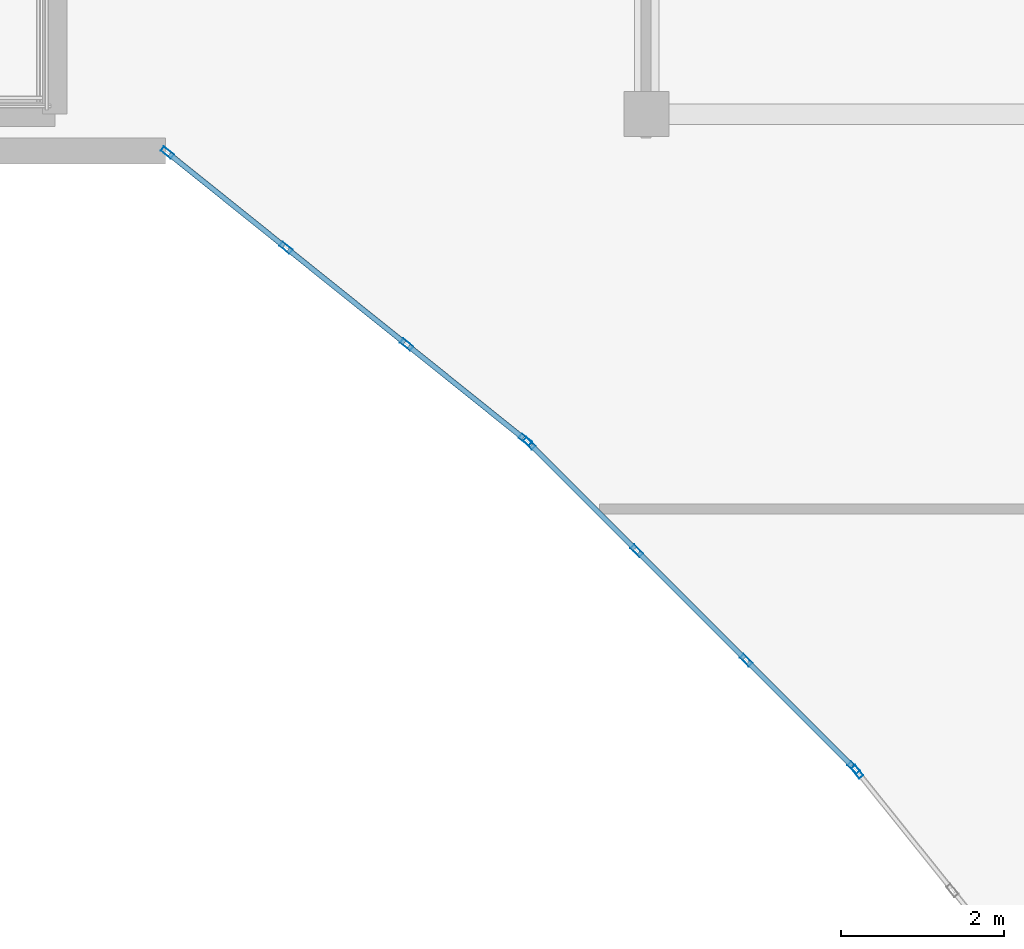
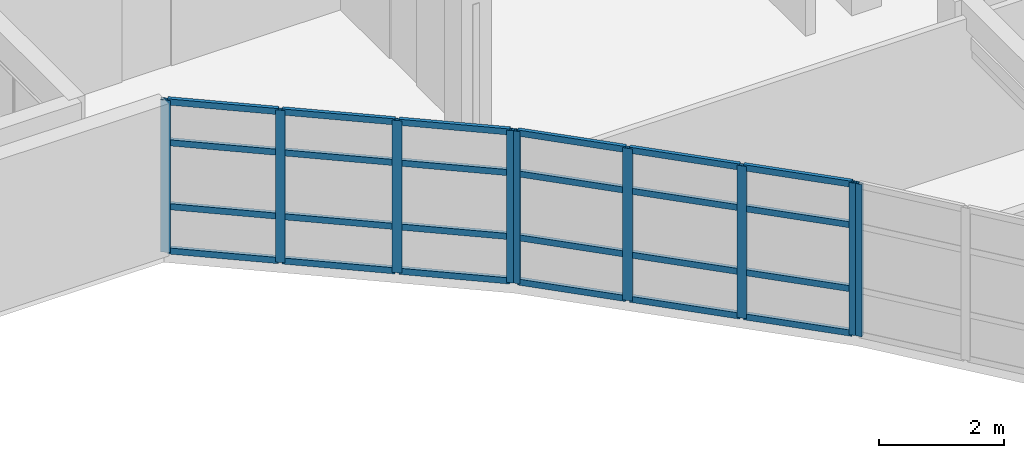
# One storey, part 18 of 68: 33 members, 3 elements without a shape of their own.
"""IFC4 building model written with IfcOpenShell, lengths in metres."""

from ifc_helpers import new_model, si_unit, direction, frame, origin, origin_2d, place, context, subcontext, project, spatial, hollow_rectangle, extrude, material, layer, layer_set, material_profile, profile_set, type_object, element, aggregate, save


model = new_model("IFC4")

# Units and contexts
model_context = context("Model", 3, precision=1e-05, world=origin(), true_north=direction((0.0, 1.0)))
body_context = subcontext(model_context, "Body", "Model", "MODEL_VIEW")
ifc_project = project(units=[si_unit("LENGTHUNIT", "METRE"), si_unit("AREAUNIT", "SQUARE_METRE"), si_unit("VOLUMEUNIT", "CUBIC_METRE"), si_unit("PLANEANGLEUNIT", "RADIAN"), si_unit("MASSUNIT", "GRAM", prefix="KILO")], contexts=[model_context])

# Site, building, storey
site_placement = place(None, origin())
site = spatial("IfcSite", under=ifc_project, at=site_placement, CompositionType="ELEMENT")
building_placement = place(site_placement, origin())
building = spatial("IfcBuilding", under=site, at=building_placement, Name="Keldmere Railside Commons", CompositionType="ELEMENT")
storey_placement = place(building_placement, frame((0.0, 0.0, 23.360107421875)))
storey = spatial("IfcBuildingStorey", under=building, at=storey_placement, Name="L07", CompositionType="ELEMENT", Elevation=23.360107421875)

# Curtain wall, members
ifc_material = material(Name="Thermally Broken Aluminium", Category="aluminium")
ifc_layer_1 = layer(ifc_material, 0.159912109375, Name="Court Chord Wintergarden CW 5400x2850")
ifc_layer_set_1 = layer_set([ifc_layer_1], Name="Thermally Broken Aluminium")
curtain_wall_type_1 = type_object("IfcCurtainWallType", Name="Court Chord Wintergarden CW 5400x2850", PredefinedType="NOTDEFINED", material=ifc_layer_set_1)
curtain_wall_1_placement = place(storey_placement, origin())
curtain_wall_1 = element("IfcCurtainWall", 1, at=curtain_wall_1_placement, inside=storey, type_object=curtain_wall_type_1, Name="CW-13 CW-L07-178", PredefinedType="NOTDEFINED")
ifc_material_profile_1 = material_profile(ifc_material, hollow_rectangle(XDim=0.06494140625, YDim=0.159912109375, WallThickness=0.00390625, at=origin_2d()), Name="ALU-MULL-65x160")
ifc_profile_set_1 = profile_set([ifc_material_profile_1], Name="Thermally Broken Aluminium")
member_type_1 = type_object("IfcMemberType", Name="Unitised Curtain Wall Mullion 65x160", PredefinedType="MULLION", material=ifc_profile_set_1)
member_1_placement = place(storey_placement, frame((160.404541015625, 96.46630859375, 0.0), z_axis=(0.0, 0.0, 1.0), x_axis=(-0.625768080915, -0.780009172323, 0.0)))
member_1 = element("IfcMember", 2, at=member_1_placement, type_object=member_type_1, Name="CW-13 mullion 1", PredefinedType="MULLION", context=body_context, shape_type="SweptSolid", body=[
    extrude(hollow_rectangle(XDim=0.06494140625, YDim=0.159912109375, WallThickness=0.00390625, at=origin_2d()), origin(), (0.0, 0.0, 1.0), 2.97998046875),
])
member_2_placement = place(storey_placement, frame((158.953369140625, 97.630615234375, 0.0), z_axis=(0.0, 0.0, 1.0), x_axis=(-0.625768080915, -0.780009172323, 0.0)))
member_2 = element("IfcMember", 3, at=member_2_placement, type_object=member_type_1, Name="CW-13 mullion 2", PredefinedType="MULLION", context=body_context, shape_type="SweptSolid", body=[
    extrude(hollow_rectangle(XDim=0.06494140625, YDim=0.159912109375, WallThickness=0.00390625, at=origin_2d()), origin(), (0.0, 0.0, 1.0), 2.97998046875),
])
member_3_placement = place(storey_placement, frame((157.4765625, 98.8154296875, 0.0), z_axis=(0.0, 0.0, 1.0), x_axis=(-0.625768080915, -0.780009172323, 0.0)))
member_3 = element("IfcMember", 4, at=member_3_placement, type_object=member_type_1, Name="CW-13 mullion 3", PredefinedType="MULLION", context=body_context, shape_type="SweptSolid", body=[
    extrude(hollow_rectangle(XDim=0.06494140625, YDim=0.159912109375, WallThickness=0.00390625, at=origin_2d()), origin(), (0.0, 0.0, 1.0), 2.97998046875),
])
member_4_placement = place(storey_placement, frame((156.025390625, 99.979736328125, 0.0), z_axis=(0.0, 0.0, 1.0), x_axis=(-0.625768080915, -0.780009172323, 0.0)))
member_4 = element("IfcMember", 5, at=member_4_placement, type_object=member_type_1, Name="CW-13 mullion 4", PredefinedType="MULLION", context=body_context, shape_type="SweptSolid", body=[
    extrude(hollow_rectangle(XDim=0.06494140625, YDim=0.159912109375, WallThickness=0.00390625, at=origin_2d()), origin(), (0.0, 0.0, 1.0), 2.97998046875),
])

ifc_layer_2 = layer(ifc_material, 0.159912109375, Name="Court Chord Wintergarden CW 4800x2850")
ifc_layer_set_2 = layer_set([ifc_layer_2], Name="Thermally Broken Aluminium")
curtain_wall_type_2 = type_object("IfcCurtainWallType", Name="Court Chord Wintergarden CW 4800x2850", PredefinedType="NOTDEFINED", material=ifc_layer_set_2)
curtain_wall_2_placement = place(storey_placement, origin())
curtain_wall_2 = element("IfcCurtainWall", 6, at=curtain_wall_2_placement, inside=storey, type_object=curtain_wall_type_2, Name="CW-12 CW-L07-179", PredefinedType="NOTDEFINED")
member_5_placement = place(storey_placement, frame((164.423095703125, 92.452880859375, 0.0), z_axis=(0.0, 0.0, 1.0), x_axis=(-0.707106781187, -0.707106781187, 0.0)))
member_5 = element("IfcMember", 7, at=member_5_placement, type_object=member_type_1, Name="CW-12 mullion 1", PredefinedType="MULLION", context=body_context, shape_type="SweptSolid", body=[
    extrude(hollow_rectangle(XDim=0.06494140625, YDim=0.159912109375, WallThickness=0.00390625, at=origin_2d()), origin(), (0.0, 0.0, 1.0), 2.97998046875),
])
member_6_placement = place(storey_placement, frame((163.107421875, 93.7685546875, 0.0), z_axis=(0.0, 0.0, 1.0), x_axis=(-0.707106781187, -0.707106781187, 0.0)))
member_6 = element("IfcMember", 8, at=member_6_placement, type_object=member_type_1, Name="CW-12 mullion 2", PredefinedType="MULLION", context=body_context, shape_type="SweptSolid", body=[
    extrude(hollow_rectangle(XDim=0.06494140625, YDim=0.159912109375, WallThickness=0.00390625, at=origin_2d()), origin(), (0.0, 0.0, 1.0), 2.97998046875),
])
member_7_placement = place(storey_placement, frame((161.7685546875, 95.107421875, 0.0), z_axis=(0.0, 0.0, 1.0), x_axis=(-0.707106781187, -0.707106781187, 0.0)))
member_7 = element("IfcMember", 9, at=member_7_placement, type_object=member_type_1, Name="CW-12 mullion 3", PredefinedType="MULLION", context=body_context, shape_type="SweptSolid", body=[
    extrude(hollow_rectangle(XDim=0.06494140625, YDim=0.159912109375, WallThickness=0.00390625, at=origin_2d()), origin(), (0.0, 0.0, 1.0), 2.97998046875),
])
member_8_placement = place(storey_placement, frame((160.452880859375, 96.423095703125, 0.0), z_axis=(0.0, 0.0, 1.0), x_axis=(-0.707106781187, -0.707106781187, 0.0)))
member_8 = element("IfcMember", 10, at=member_8_placement, type_object=member_type_1, Name="CW-12 mullion 4", PredefinedType="MULLION", context=body_context, shape_type="SweptSolid", body=[
    extrude(hollow_rectangle(XDim=0.06494140625, YDim=0.159912109375, WallThickness=0.00390625, at=origin_2d()), origin(), (0.0, 0.0, 1.0), 2.97998046875),
])

# Curtain wall, member
curtain_wall_3_placement = place(storey_placement, origin())
curtain_wall_3 = element("IfcCurtainWall", 11, at=curtain_wall_3_placement, inside=storey, type_object=curtain_wall_type_1, Name="CW-13 CW-L07-180", PredefinedType="NOTDEFINED")
member_9_placement = place(storey_placement, frame((164.46630859375, 92.404541015625, 0.0), z_axis=(0.0, 0.0, 1.0), x_axis=(-0.780009172323, -0.625768080915, 0.0)))
member_9 = element("IfcMember", 12, at=member_9_placement, type_object=member_type_1, Name="CW-13 mullion 4", PredefinedType="MULLION", context=body_context, shape_type="SweptSolid", body=[
    extrude(hollow_rectangle(XDim=0.06494140625, YDim=0.159912109375, WallThickness=0.00390625, at=origin_2d()), origin(), (0.0, 0.0, 1.0), 2.97998046875),
])
aggregate(curtain_wall_3, [member_9])

# Member
ifc_material_profile_2 = material_profile(ifc_material, hollow_rectangle(XDim=0.06494140625, YDim=0.1201171875, WallThickness=0.00390625, at=origin_2d()), Name="ALU-TRAN-65x120")
ifc_profile_set_2 = profile_set([ifc_material_profile_2], Name="Thermally Broken Aluminium")
member_type_2 = type_object("IfcMemberType", Name="Unitised Curtain Wall Transom 65x120", PredefinedType="USERDEFINED", material=ifc_profile_set_2)
member_10_placement = place(storey_placement, frame((160.37939453125, 96.486572265625, 0.032470703125), z_axis=(-0.779979331565, 0.625805275091, 0.0), x_axis=(-0.625805275091, -0.779979331565, 0.0)))
member_10 = element("IfcMember", 13, at=member_10_placement, type_object=member_type_2, Name="CW-13 transom 1.1", ObjectType="TRANSOM", PredefinedType="USERDEFINED", context=body_context, shape_type="SweptSolid", body=[
    extrude(hollow_rectangle(XDim=0.06494140625, YDim=0.1201171875, WallThickness=0.00390625, at=origin_2d()), origin(), (0.0, 0.0, 1.0), 1.795654296875),
])

member_11_placement = place(storey_placement, frame((160.37939453125, 96.486572265625, 0.89990234375), z_axis=(-0.779979331565, 0.625805275091, 0.0), x_axis=(-0.625805275091, -0.779979331565, 0.0)))
member_11 = element("IfcMember", 14, at=member_11_placement, type_object=member_type_2, Name="CW-13 transom 1.2", ObjectType="TRANSOM", PredefinedType="USERDEFINED", context=body_context, shape_type="SweptSolid", body=[
    extrude(hollow_rectangle(XDim=0.06494140625, YDim=0.1201171875, WallThickness=0.00390625, at=origin_2d()), origin(), (0.0, 0.0, 1.0), 1.795654296875),
])

member_12_placement = place(storey_placement, frame((160.37939453125, 96.486572265625, 2.14990234375), z_axis=(-0.779979331565, 0.625805275091, 0.0), x_axis=(-0.625805275091, -0.779979331565, 0.0)))
member_12 = element("IfcMember", 15, at=member_12_placement, type_object=member_type_2, Name="CW-13 transom 1.3", ObjectType="TRANSOM", PredefinedType="USERDEFINED", context=body_context, shape_type="SweptSolid", body=[
    extrude(hollow_rectangle(XDim=0.06494140625, YDim=0.1201171875, WallThickness=0.00390625, at=origin_2d()), origin(), (0.0, 0.0, 1.0), 1.795654296875),
])

member_13_placement = place(storey_placement, frame((160.37939453125, 96.486572265625, 2.947509765625), z_axis=(-0.779979331565, 0.625805275091, 0.0), x_axis=(-0.625805275091, -0.779979331565, 0.0)))
member_13 = element("IfcMember", 16, at=member_13_placement, type_object=member_type_2, Name="CW-13 transom 1.4", ObjectType="TRANSOM", PredefinedType="USERDEFINED", context=body_context, shape_type="SweptSolid", body=[
    extrude(hollow_rectangle(XDim=0.06494140625, YDim=0.1201171875, WallThickness=0.00390625, at=origin_2d()), origin(), (0.0, 0.0, 1.0), 1.795654296875),
])

member_14_placement = place(storey_placement, frame((158.927978515625, 97.651123046875, 0.032470703125), z_axis=(-0.78007338409, 0.625688033635, 0.0), x_axis=(-0.625688033635, -0.78007338409, 0.0)))
member_14 = element("IfcMember", 17, at=member_14_placement, type_object=member_type_2, Name="CW-13 transom 2.1", ObjectType="TRANSOM", PredefinedType="USERDEFINED", context=body_context, shape_type="SweptSolid", body=[
    extrude(hollow_rectangle(XDim=0.06494140625, YDim=0.1201171875, WallThickness=0.00390625, at=origin_2d()), origin(), (0.0, 0.0, 1.0), 1.828125),
])

member_15_placement = place(storey_placement, frame((158.927978515625, 97.651123046875, 0.89990234375), z_axis=(-0.78007338409, 0.625688033635, 0.0), x_axis=(-0.625688033635, -0.78007338409, 0.0)))
member_15 = element("IfcMember", 18, at=member_15_placement, type_object=member_type_2, Name="CW-13 transom 2.2", ObjectType="TRANSOM", PredefinedType="USERDEFINED", context=body_context, shape_type="SweptSolid", body=[
    extrude(hollow_rectangle(XDim=0.06494140625, YDim=0.1201171875, WallThickness=0.00390625, at=origin_2d()), origin(), (0.0, 0.0, 1.0), 1.828125),
])

member_16_placement = place(storey_placement, frame((158.927978515625, 97.651123046875, 2.14990234375), z_axis=(-0.78007338409, 0.625688033635, 0.0), x_axis=(-0.625688033635, -0.78007338409, 0.0)))
member_16 = element("IfcMember", 19, at=member_16_placement, type_object=member_type_2, Name="CW-13 transom 2.3", ObjectType="TRANSOM", PredefinedType="USERDEFINED", context=body_context, shape_type="SweptSolid", body=[
    extrude(hollow_rectangle(XDim=0.06494140625, YDim=0.1201171875, WallThickness=0.00390625, at=origin_2d()), origin(), (0.0, 0.0, 1.0), 1.828125),
])

member_17_placement = place(storey_placement, frame((158.927978515625, 97.651123046875, 2.947509765625), z_axis=(-0.78007338409, 0.625688033635, 0.0), x_axis=(-0.625688033635, -0.78007338409, 0.0)))
member_17 = element("IfcMember", 20, at=member_17_placement, type_object=member_type_2, Name="CW-13 transom 2.4", ObjectType="TRANSOM", PredefinedType="USERDEFINED", context=body_context, shape_type="SweptSolid", body=[
    extrude(hollow_rectangle(XDim=0.06494140625, YDim=0.1201171875, WallThickness=0.00390625, at=origin_2d()), origin(), (0.0, 0.0, 1.0), 1.828125),
])

member_18_placement = place(storey_placement, frame((157.451416015625, 98.835693359375, 0.032470703125), z_axis=(-0.780045694992, 0.625722553313, 0.0), x_axis=(-0.625722553313, -0.780045694992, 0.0)))
member_18 = element("IfcMember", 21, at=member_18_placement, type_object=member_type_2, Name="CW-13 transom 3.1", ObjectType="TRANSOM", PredefinedType="USERDEFINED", context=body_context, shape_type="SweptSolid", body=[
    extrude(hollow_rectangle(XDim=0.06494140625, YDim=0.1201171875, WallThickness=0.00390625, at=origin_2d()), origin(), (0.0, 0.0, 1.0), 1.795654296875),
])

member_19_placement = place(storey_placement, frame((157.451416015625, 98.835693359375, 0.89990234375), z_axis=(-0.780045694992, 0.625722553313, 0.0), x_axis=(-0.625722553313, -0.780045694992, 0.0)))
member_19 = element("IfcMember", 22, at=member_19_placement, type_object=member_type_2, Name="CW-13 transom 3.2", ObjectType="TRANSOM", PredefinedType="USERDEFINED", context=body_context, shape_type="SweptSolid", body=[
    extrude(hollow_rectangle(XDim=0.06494140625, YDim=0.1201171875, WallThickness=0.00390625, at=origin_2d()), origin(), (0.0, 0.0, 1.0), 1.795654296875),
])

member_20_placement = place(storey_placement, frame((157.451416015625, 98.835693359375, 2.14990234375), z_axis=(-0.780045694992, 0.625722553313, 0.0), x_axis=(-0.625722553313, -0.780045694992, 0.0)))
member_20 = element("IfcMember", 23, at=member_20_placement, type_object=member_type_2, Name="CW-13 transom 3.3", ObjectType="TRANSOM", PredefinedType="USERDEFINED", context=body_context, shape_type="SweptSolid", body=[
    extrude(hollow_rectangle(XDim=0.06494140625, YDim=0.1201171875, WallThickness=0.00390625, at=origin_2d()), origin(), (0.0, 0.0, 1.0), 1.795654296875),
])

member_21_placement = place(storey_placement, frame((157.451416015625, 98.835693359375, 2.947509765625), z_axis=(-0.780045694992, 0.625722553313, 0.0), x_axis=(-0.625722553313, -0.780045694992, 0.0)))
member_21 = element("IfcMember", 24, at=member_21_placement, type_object=member_type_2, Name="CW-13 transom 3.4", ObjectType="TRANSOM", PredefinedType="USERDEFINED", context=body_context, shape_type="SweptSolid", body=[
    extrude(hollow_rectangle(XDim=0.06494140625, YDim=0.1201171875, WallThickness=0.00390625, at=origin_2d()), origin(), (0.0, 0.0, 1.0), 1.795654296875),
])

aggregate(curtain_wall_1, [member_1, member_2, member_3, member_4, member_10, member_11, member_12, member_13, member_14, member_15, member_16, member_17, member_18, member_19, member_20, member_21])

member_22_placement = place(storey_placement, frame((164.400146484375, 92.47607421875, 0.032470703125), z_axis=(-0.707174762418, 0.707038793419, 0.0), x_axis=(-0.707038793419, -0.707174762418, 0.0)))
member_22 = element("IfcMember", 25, at=member_22_placement, type_object=member_type_2, Name="CW-12 transom 1.1", ObjectType="TRANSOM", PredefinedType="USERDEFINED", context=body_context, shape_type="SweptSolid", body=[
    extrude(hollow_rectangle(XDim=0.06494140625, YDim=0.1201171875, WallThickness=0.00390625, at=origin_2d()), origin(), (0.0, 0.0, 1.0), 1.795654296875),
])

member_23_placement = place(storey_placement, frame((164.400146484375, 92.47607421875, 0.89990234375), z_axis=(-0.707174762418, 0.707038793419, 0.0), x_axis=(-0.707038793419, -0.707174762418, 0.0)))
member_23 = element("IfcMember", 26, at=member_23_placement, type_object=member_type_2, Name="CW-12 transom 1.2", ObjectType="TRANSOM", PredefinedType="USERDEFINED", context=body_context, shape_type="SweptSolid", body=[
    extrude(hollow_rectangle(XDim=0.06494140625, YDim=0.1201171875, WallThickness=0.00390625, at=origin_2d()), origin(), (0.0, 0.0, 1.0), 1.795654296875),
])

member_24_placement = place(storey_placement, frame((164.400146484375, 92.47607421875, 2.14990234375), z_axis=(-0.707174762418, 0.707038793419, 0.0), x_axis=(-0.707038793419, -0.707174762418, 0.0)))
member_24 = element("IfcMember", 27, at=member_24_placement, type_object=member_type_2, Name="CW-12 transom 1.3", ObjectType="TRANSOM", PredefinedType="USERDEFINED", context=body_context, shape_type="SweptSolid", body=[
    extrude(hollow_rectangle(XDim=0.06494140625, YDim=0.1201171875, WallThickness=0.00390625, at=origin_2d()), origin(), (0.0, 0.0, 1.0), 1.795654296875),
])

member_25_placement = place(storey_placement, frame((164.400146484375, 92.47607421875, 2.947509765625), z_axis=(-0.707174762418, 0.707038793419, 0.0), x_axis=(-0.707038793419, -0.707174762418, 0.0)))
member_25 = element("IfcMember", 28, at=member_25_placement, type_object=member_type_2, Name="CW-12 transom 1.4", ObjectType="TRANSOM", PredefinedType="USERDEFINED", context=body_context, shape_type="SweptSolid", body=[
    extrude(hollow_rectangle(XDim=0.06494140625, YDim=0.1201171875, WallThickness=0.00390625, at=origin_2d()), origin(), (0.0, 0.0, 1.0), 1.795654296875),
])

member_26_placement = place(storey_placement, frame((163.08447265625, 93.791748046875, 0.032470703125), z_axis=(-0.707106781187, 0.707106781187, 0.0), x_axis=(-0.707106781187, -0.707106781187, 0.0)))
member_26 = element("IfcMember", 29, at=member_26_placement, type_object=member_type_2, Name="CW-12 transom 2.1", ObjectType="TRANSOM", PredefinedType="USERDEFINED", context=body_context, shape_type="SweptSolid", body=[
    extrude(hollow_rectangle(XDim=0.06494140625, YDim=0.1201171875, WallThickness=0.00390625, at=origin_2d()), origin(), (0.0, 0.0, 1.0), 1.828125),
])

member_27_placement = place(storey_placement, frame((163.08447265625, 93.791748046875, 0.89990234375), z_axis=(-0.707106781187, 0.707106781187, 0.0), x_axis=(-0.707106781187, -0.707106781187, 0.0)))
member_27 = element("IfcMember", 30, at=member_27_placement, type_object=member_type_2, Name="CW-12 transom 2.2", ObjectType="TRANSOM", PredefinedType="USERDEFINED", context=body_context, shape_type="SweptSolid", body=[
    extrude(hollow_rectangle(XDim=0.06494140625, YDim=0.1201171875, WallThickness=0.00390625, at=origin_2d()), origin(), (0.0, 0.0, 1.0), 1.828125),
])

member_28_placement = place(storey_placement, frame((163.08447265625, 93.791748046875, 2.14990234375), z_axis=(-0.707106781187, 0.707106781187, 0.0), x_axis=(-0.707106781187, -0.707106781187, 0.0)))
member_28 = element("IfcMember", 31, at=member_28_placement, type_object=member_type_2, Name="CW-12 transom 2.3", ObjectType="TRANSOM", PredefinedType="USERDEFINED", context=body_context, shape_type="SweptSolid", body=[
    extrude(hollow_rectangle(XDim=0.06494140625, YDim=0.1201171875, WallThickness=0.00390625, at=origin_2d()), origin(), (0.0, 0.0, 1.0), 1.828125),
])

member_29_placement = place(storey_placement, frame((163.08447265625, 93.791748046875, 2.947509765625), z_axis=(-0.707106781187, 0.707106781187, 0.0), x_axis=(-0.707106781187, -0.707106781187, 0.0)))
member_29 = element("IfcMember", 32, at=member_29_placement, type_object=member_type_2, Name="CW-12 transom 2.4", ObjectType="TRANSOM", PredefinedType="USERDEFINED", context=body_context, shape_type="SweptSolid", body=[
    extrude(hollow_rectangle(XDim=0.06494140625, YDim=0.1201171875, WallThickness=0.00390625, at=origin_2d()), origin(), (0.0, 0.0, 1.0), 1.828125),
])

member_30_placement = place(storey_placement, frame((161.74560546875, 95.13037109375, 0.032470703125), z_axis=(-0.707038793419, 0.707174762418, 0.0), x_axis=(-0.707174762418, -0.707038793419, 0.0)))
member_30 = element("IfcMember", 33, at=member_30_placement, type_object=member_type_2, Name="CW-12 transom 3.1", ObjectType="TRANSOM", PredefinedType="USERDEFINED", context=body_context, shape_type="SweptSolid", body=[
    extrude(hollow_rectangle(XDim=0.06494140625, YDim=0.1201171875, WallThickness=0.00390625, at=origin_2d()), origin(), (0.0, 0.0, 1.0), 1.795654296875),
])

member_31_placement = place(storey_placement, frame((161.74560546875, 95.13037109375, 0.89990234375), z_axis=(-0.707038793419, 0.707174762418, 0.0), x_axis=(-0.707174762418, -0.707038793419, 0.0)))
member_31 = element("IfcMember", 34, at=member_31_placement, type_object=member_type_2, Name="CW-12 transom 3.2", ObjectType="TRANSOM", PredefinedType="USERDEFINED", context=body_context, shape_type="SweptSolid", body=[
    extrude(hollow_rectangle(XDim=0.06494140625, YDim=0.1201171875, WallThickness=0.00390625, at=origin_2d()), origin(), (0.0, 0.0, 1.0), 1.795654296875),
])

member_32_placement = place(storey_placement, frame((161.74560546875, 95.13037109375, 2.14990234375), z_axis=(-0.707038793419, 0.707174762418, 0.0), x_axis=(-0.707174762418, -0.707038793419, 0.0)))
member_32 = element("IfcMember", 35, at=member_32_placement, type_object=member_type_2, Name="CW-12 transom 3.3", ObjectType="TRANSOM", PredefinedType="USERDEFINED", context=body_context, shape_type="SweptSolid", body=[
    extrude(hollow_rectangle(XDim=0.06494140625, YDim=0.1201171875, WallThickness=0.00390625, at=origin_2d()), origin(), (0.0, 0.0, 1.0), 1.795654296875),
])

member_33_placement = place(storey_placement, frame((161.74560546875, 95.13037109375, 2.947509765625), z_axis=(-0.707038793419, 0.707174762418, 0.0), x_axis=(-0.707174762418, -0.707038793419, 0.0)))
member_33 = element("IfcMember", 36, at=member_33_placement, type_object=member_type_2, Name="CW-12 transom 3.4", ObjectType="TRANSOM", PredefinedType="USERDEFINED", context=body_context, shape_type="SweptSolid", body=[
    extrude(hollow_rectangle(XDim=0.06494140625, YDim=0.1201171875, WallThickness=0.00390625, at=origin_2d()), origin(), (0.0, 0.0, 1.0), 1.795654296875),
])

aggregate(curtain_wall_2, [member_5, member_6, member_7, member_8, member_22, member_23, member_24, member_25, member_26, member_27, member_28, member_29, member_30, member_31, member_32, member_33])

save(model, "model.ifc")
